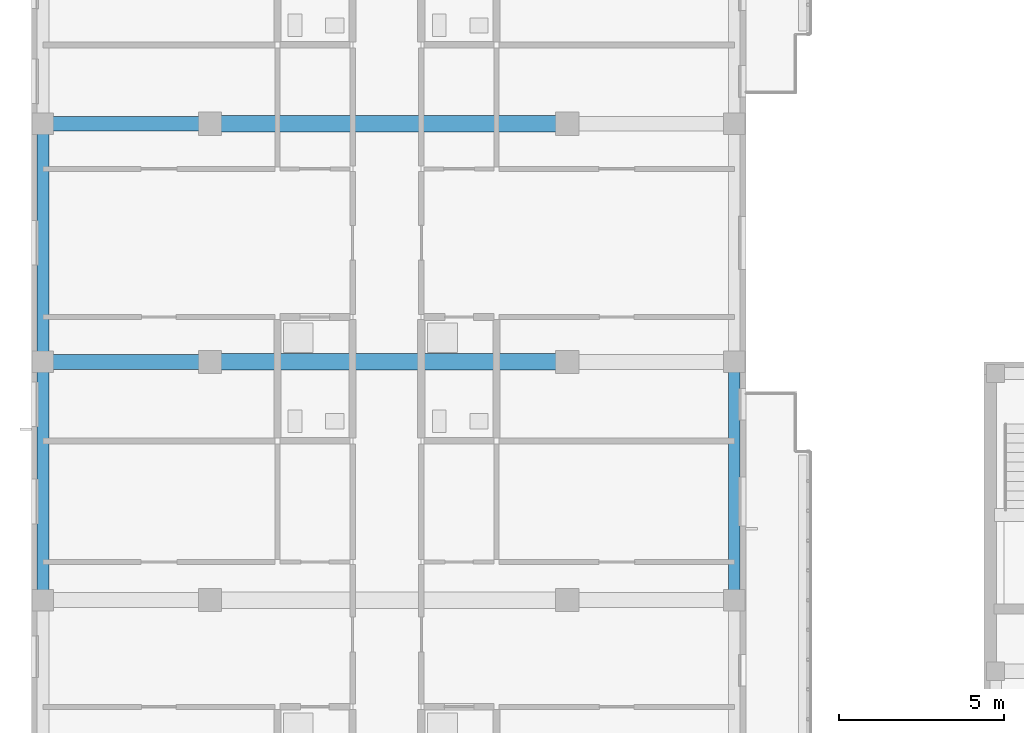
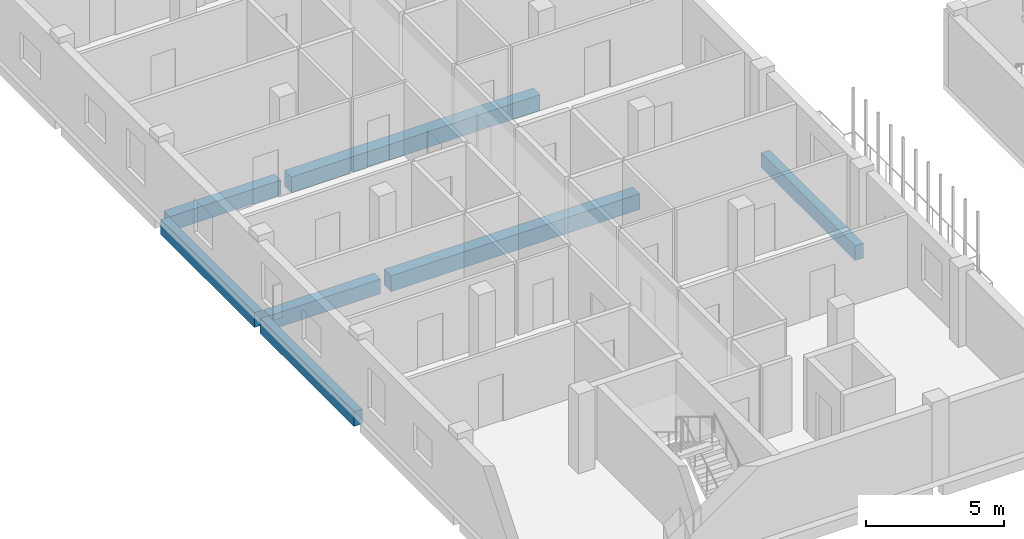
# One storey, part 5 of 73: 7 beams.
"""IFC4 building model written with IfcOpenShell, lengths in metres."""

from ifc_helpers import new_model, si_unit, derived_unit, direction, frame, origin, origin_2d, place, context, subcontext, project, spatial, rectangle, extrude, material, material_profile, profile_set, type_object, element, save


model = new_model("IFC4")

# Units and contexts
model_context = context("Model", 3, precision=1e-05, world=origin(), true_north=direction((0.0, 1.0)))
body_context = subcontext(model_context, "Body", "Model", "MODEL_VIEW")
ifc_project = project(units=[si_unit("LENGTHUNIT", "METRE"), si_unit("AREAUNIT", "SQUARE_METRE"), si_unit("VOLUMEUNIT", "CUBIC_METRE"), si_unit("PLANEANGLEUNIT", "RADIAN"), si_unit("MASSUNIT", "GRAM", prefix="KILO"), derived_unit("THERMALTRANSMITTANCEUNIT", [(si_unit("MASSUNIT", "GRAM", prefix="KILO"), 1), (si_unit("TIMEUNIT", "SECOND"), -3), (si_unit("THERMODYNAMICTEMPERATUREUNIT", "KELVIN"), -1)])], contexts=[model_context])

# Site, building, storey
site_placement = place(None, origin())
site = spatial("IfcSite", under=ifc_project, at=site_placement, CompositionType="ELEMENT")
building_placement = place(site_placement, origin())
building = spatial("IfcBuilding", under=site, at=building_placement, Name="Ochrekiln Boulevard Commons", CompositionType="ELEMENT")
storey_placement = place(building_placement, frame((0.0, 0.0, 8.574951171875)))
storey = spatial("IfcBuildingStorey", under=building, at=storey_placement, Name="L02", CompositionType="ELEMENT", Elevation=8.574951171875)

# Beams
ifc_material_1 = material(Name="Concrete C35/45", Category="concrete")
ifc_material_profile_1 = material_profile(ifc_material_1, rectangle(XDim=0.449951171875, YDim=0.64990234375, at=origin_2d()), Name="RC-BM-450x650")
ifc_profile_set_1 = profile_set([ifc_material_profile_1], Name="Concrete C35/45")
beam_type_1 = type_object("IfcBeamType", Name="BM-RC-450x650", PredefinedType="BEAM", material=ifc_profile_set_1)
for number, where, z_axis, x_axis, name in (
    (1, (0.56005859375, 21.60009765625, -0.5849609375), (1.0, 0.0, 0.0), (0.0, 1.0, 0.0), "Block D L02 Beam B-4565 X9"),
    (2, (0.56005859375, 28.800048828125, -0.5849609375), (1.0, 0.0, 0.0), (0.0, 1.0, 0.0), "Block D L02 Beam B-4565 X12"),
):
    element("IfcBeam", number, at=place(storey_placement, frame(where, z_axis=z_axis, x_axis=x_axis)), inside=storey, type_object=beam_type_1, Name=name, PredefinedType="BEAM", context=body_context, shape_type="SweptSolid", body=[
        extrude(rectangle(XDim=0.449951171875, YDim=0.64990234375, at=origin_2d()), origin(), (0.0, 0.0, 1.0), 4.6298828125),
    ])
ifc_material_2 = material(Name="Concrete C40/50", Category="concrete")
ifc_material_profile_2 = material_profile(ifc_material_2, rectangle(XDim=0.5, YDim=0.699951171875, at=origin_2d()), Name="RC-BM-500x700")
ifc_profile_set_2 = profile_set([ifc_material_profile_2], Name="Concrete C40/50")
beam_type_2 = type_object("IfcBeamType", Name="BM-RC-500x700", PredefinedType="BEAM", material=ifc_profile_set_2)
for number, where, z_axis, x_axis, name in (
    (3, (5.610107421875, 21.60009765625, -0.60986328125), (1.0, 0.0, 0.0), (0.0, 1.0, 0.0), "Block D L02 Beam B-5070 X10"),
    (4, (5.610107421875, 28.800048828125, -0.60986328125), (1.0, 0.0, 0.0), (0.0, 1.0, 0.0), "Block D L02 Beam B-5070 X13"),
):
    element("IfcBeam", number, at=place(storey_placement, frame(where, z_axis=z_axis, x_axis=x_axis)), inside=storey, type_object=beam_type_2, Name=name, PredefinedType="BEAM", context=body_context, shape_type="SweptSolid", body=[
        extrude(rectangle(XDim=0.5, YDim=0.699951171875, at=origin_2d()), origin(), (0.0, 0.0, 1.0), 10.3798828125),
    ])
ifc_material_profile_3 = material_profile(ifc_material_2, rectangle(XDim=0.35009765625, YDim=0.64990234375, at=origin_2d()), Name="RC-SPN-350x650")
ifc_profile_set_3 = profile_set([ifc_material_profile_3], Name="Concrete C40/50")
beam_type_3 = type_object("IfcBeamType", Name="SPN-RC-350x650", PredefinedType="SPANDREL", material=ifc_profile_set_3)
beam_1_placement = place(storey_placement, frame((0.35009765625, 14.610107421875, -0.5849609375), z_axis=(0.0, 1.0, 0.0), x_axis=(-1.0, 0.0, 0.0)))
element("IfcBeam", 5, at=beam_1_placement, inside=storey, type_object=beam_type_3, Name="Block D L02 Beam SP-3565 Y25", PredefinedType="SPANDREL", context=body_context, shape_type="SweptSolid", body=[
    extrude(rectangle(XDim=0.35009765625, YDim=0.64990234375, at=origin_2d()), origin(), (0.0, 0.0, 1.0), 6.77978515625),
])
beam_2_placement = place(storey_placement, frame((0.35009765625, 21.81005859375, -0.5849609375), z_axis=(0.0, 1.0, 0.0), x_axis=(-1.0, 0.0, 0.0)))
element("IfcBeam", 6, at=beam_2_placement, inside=storey, type_object=beam_type_3, Name="Block D L02 Beam SP-3565 Y26", PredefinedType="SPANDREL", context=body_context, shape_type="SweptSolid", body=[
    extrude(rectangle(XDim=0.35009765625, YDim=0.64990234375, at=origin_2d()), origin(), (0.0, 0.0, 1.0), 6.780029296875),
])
beam_3_placement = place(storey_placement, frame((21.25, 14.610107421875, -0.5849609375), z_axis=(0.0, 1.0, 0.0), x_axis=(-1.0, 0.0, 0.0)))
element("IfcBeam", 7, at=beam_3_placement, inside=storey, type_object=beam_type_3, Name="Block D L02 Beam SP-3565 Y32", PredefinedType="SPANDREL", context=body_context, shape_type="SweptSolid", body=[
    extrude(rectangle(XDim=0.35009765625, YDim=0.64990234375, at=origin_2d()), origin(), (0.0, 0.0, 1.0), 6.77978515625),
])

save(model, "model.ifc")
